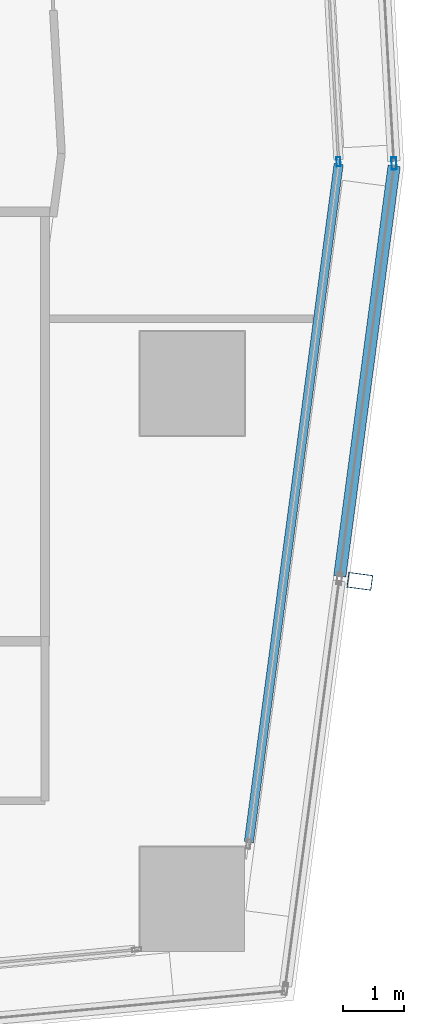
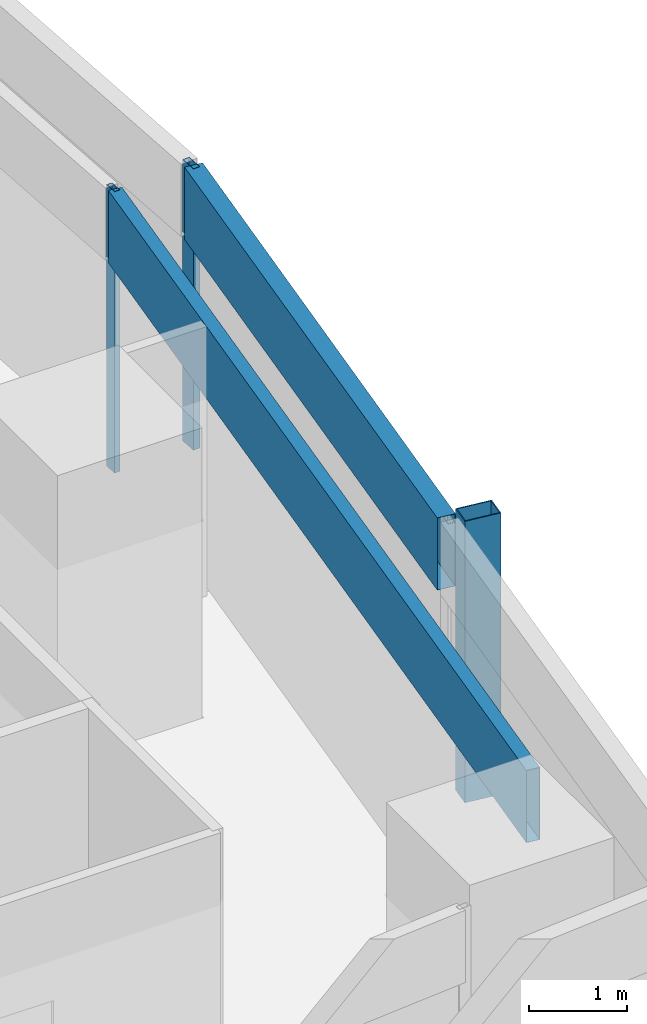
# One storey, part 13 of 39: 5 members, 4 elements without a shape of their own.
"""IFC4 building model written with IfcOpenShell, lengths in metres."""

from ifc_helpers import new_model, si_unit, direction, frame, origin, origin_2d, place, context, subcontext, project, spatial, hollow_rectangle, extrude, material, material_profile, profile_set, type_object, element, aggregate, save


model = new_model("IFC4")

# Units and contexts
model_context = context("Model", 3, precision=1e-05, world=origin(), true_north=direction((0.0, 1.0)))
body_context = subcontext(model_context, "Body", "Model", "MODEL_VIEW")
ifc_project = project(units=[si_unit("LENGTHUNIT", "METRE"), si_unit("AREAUNIT", "SQUARE_METRE"), si_unit("VOLUMEUNIT", "CUBIC_METRE"), si_unit("PLANEANGLEUNIT", "RADIAN"), si_unit("MASSUNIT", "GRAM", prefix="KILO")], contexts=[model_context])

# Site, building, storey
site_placement = place(None, origin())
site = spatial("IfcSite", under=ifc_project, at=site_placement, CompositionType="ELEMENT")
building_placement = place(site_placement, origin())
building = spatial("IfcBuilding", under=site, at=building_placement, Name="Rekha Terrace Tower", CompositionType="ELEMENT")
storey_placement = place(building_placement, frame((0.0, 0.0, 183.949951171875)))
storey = spatial("IfcBuildingStorey", under=building, at=storey_placement, Name="L46", CompositionType="ELEMENT", Elevation=183.949951171875)

# Curtain wall, member
ifc_material_1 = material(Name="Aluminium framing", Category="aluminium")
curtain_wall_type_1 = type_object("IfcCurtainWallType", Name="CW2 double skin outer glazing", PredefinedType="USERDEFINED", material=ifc_material_1)
curtain_wall_1_placement = place(storey_placement, origin())
curtain_wall_1 = element("IfcCurtainWall", 1, at=curtain_wall_1_placement, inside=storey, type_object=curtain_wall_type_1, Name="CW2 double skin outer glazing", ObjectType="DOUBLE SKIN OUTER GLAZING", PredefinedType="USERDEFINED")
ifc_material_2 = material(Name="Steel S355 with fluorocarbon finish", Category="steel")
ifc_material_profile_1 = material_profile(ifc_material_2, hollow_rectangle(XDim=0.25, YDim=0.39990234375, WallThickness=0.012451171875, at=origin_2d()), Name="RHS400x250x12.5")
ifc_profile_set_1 = profile_set([ifc_material_profile_1], Name="Steel S355 with fluorocarbon finish")
member_type_1 = type_object("IfcMemberType", Name="BL1 facade blade RHS 400 x 250", PredefinedType="USERDEFINED", material=ifc_profile_set_1)
member_1_placement = place(storey_placement, frame((61.531005859375, 21.977783203125, 0.0), z_axis=(0.0, 0.0, 1.0), x_axis=(0.131303100637, 0.991342269735, 0.0)))
member_1 = element("IfcMember", 2, at=member_1_placement, type_object=member_type_1, Name="Facade blade", ObjectType="FACADE BLADE", PredefinedType="USERDEFINED", context=body_context, shape_type="SweptSolid", body=[
    extrude(hollow_rectangle(XDim=0.25, YDim=0.39990234375, WallThickness=0.012451171875, at=origin_2d()), origin(), (0.0, 0.0, 1.0), 3.5),
])

curtain_wall_type_2 = type_object("IfcCurtainWallType", Name="CW1 double skin inner glazing", PredefinedType="USERDEFINED", material=ifc_material_1)
curtain_wall_2_placement = place(storey_placement, origin())
curtain_wall_2 = element("IfcCurtainWall", 3, at=curtain_wall_2_placement, inside=storey, type_object=curtain_wall_type_2, Name="CW1 double skin inner glazing", ObjectType="DOUBLE SKIN INNER GLAZING", PredefinedType="USERDEFINED")
ifc_material_3 = material(Name="Aluminium mullion section", Category="aluminium")
ifc_material_profile_2 = material_profile(ifc_material_3, hollow_rectangle(XDim=0.06494140625, YDim=0.14990234375, WallThickness=0.00390625, at=origin_2d()), Name="AL RHS 65x150")
ifc_profile_set_2 = profile_set([ifc_material_profile_2], Name="Aluminium mullion section")
member_type_2 = type_object("IfcMemberType", Name="CW1 mullion RHS 65 x 150", PredefinedType="MULLION", material=ifc_profile_set_2)
member_2_placement = place(storey_placement, frame((61.18408203125, 28.812255859375, 0.0), z_axis=(0.0, 0.0, 1.0), x_axis=(-0.998392782918, -0.056673194877, 0.0)))
member_2 = element("IfcMember", 4, at=member_2_placement, type_object=member_type_2, Name="CW1 mullion 1", PredefinedType="MULLION", context=body_context, shape_type="SweptSolid", body=[
    extrude(hollow_rectangle(XDim=0.06494140625, YDim=0.14990234375, WallThickness=0.00390625, at=origin_2d()), origin(), (0.0, 0.0, 1.0), 3.5),
])
aggregate(curtain_wall_2, [member_2])

curtain_wall_3_placement = place(storey_placement, origin())
curtain_wall_3 = element("IfcCurtainWall", 5, at=curtain_wall_3_placement, inside=storey, type_object=curtain_wall_type_2, Name="CW1 double skin inner glazing", ObjectType="DOUBLE SKIN INNER GLAZING", PredefinedType="USERDEFINED")
ifc_material_4 = material(Name="Insulated aluminium spandrel box", Category="aluminium")
ifc_material_profile_3 = material_profile(ifc_material_4, hollow_rectangle(XDim=0.14990234375, YDim=0.89990234375, WallThickness=0.0029296875, at=origin_2d()), Name="AL SPANDREL BOX 150x900")
ifc_profile_set_3 = profile_set([ifc_material_profile_3], Name="Insulated aluminium spandrel box")
member_type_3 = type_object("IfcMemberType", Name="CW1 spandrel transom 150 x 900", PredefinedType="USERDEFINED", material=ifc_profile_set_3)
member_3_placement = place(storey_placement, frame((59.721923828125, 17.726318359375, 3.050048828125), z_axis=(0.131310300879, 0.991341316038, 0.0), x_axis=(-0.991341316038, 0.131310300879, 0.0)))
member_3 = element("IfcMember", 6, at=member_3_placement, type_object=member_type_3, Name="CW1 spandrel transom 1", ObjectType="TRANSOM", PredefinedType="USERDEFINED", context=body_context, shape_type="SweptSolid", body=[
    extrude(hollow_rectangle(XDim=0.14990234375, YDim=0.89990234375, WallThickness=0.0029296875, at=origin_2d()), origin(), (0.0, 0.0, 1.0), 11.14990234375),
])
aggregate(curtain_wall_3, [member_3])

curtain_wall_4_placement = place(storey_placement, origin())
curtain_wall_4 = element("IfcCurtainWall", 7, at=curtain_wall_4_placement, inside=storey, type_object=curtain_wall_type_1, Name="CW2 double skin outer glazing", ObjectType="DOUBLE SKIN OUTER GLAZING", PredefinedType="USERDEFINED")
ifc_material_profile_4 = material_profile(ifc_material_3, hollow_rectangle(XDim=0.080078125, YDim=0.199951171875, WallThickness=0.00390625, at=origin_2d()), Name="AL RHS 80x200")
ifc_profile_set_4 = profile_set([ifc_material_profile_4], Name="Aluminium mullion section")
member_type_4 = type_object("IfcMemberType", Name="CW2 mullion RHS 80 x 200", PredefinedType="MULLION", material=ifc_profile_set_4)
member_4_placement = place(storey_placement, frame((62.087158203125, 28.785888671875, 0.0), z_axis=(0.0, 0.0, 1.0), x_axis=(-0.998392782919, -0.05667319486, 0.0)))
member_4 = element("IfcMember", 8, at=member_4_placement, type_object=member_type_4, Name="CW2 mullion 1", PredefinedType="MULLION", context=body_context, shape_type="SweptSolid", body=[
    extrude(hollow_rectangle(XDim=0.080078125, YDim=0.199951171875, WallThickness=0.00390625, at=origin_2d()), origin(), (0.0, 0.0, 1.0), 3.5),
])
aggregate(curtain_wall_4, [member_4])

# Member
ifc_material_profile_5 = material_profile(ifc_material_4, hollow_rectangle(XDim=0.199951171875, YDim=0.89990234375, WallThickness=0.0029296875, at=origin_2d()), Name="AL SPANDREL BOX 200x900")
ifc_profile_set_5 = profile_set([ifc_material_profile_5], Name="Insulated aluminium spandrel box")
member_type_5 = type_object("IfcMemberType", Name="CW2 spandrel transom 200 x 900", PredefinedType="USERDEFINED", material=ifc_profile_set_5)
member_5_placement = place(storey_placement, frame((61.2041015625, 22.0615234375, 3.050048828125), z_axis=(0.131286165193, 0.991344512684, 0.0), x_axis=(-0.991344512684, 0.131286165193, 0.0)))
member_5 = element("IfcMember", 9, at=member_5_placement, type_object=member_type_5, Name="CW2 spandrel transom 2", ObjectType="TRANSOM", PredefinedType="USERDEFINED", context=body_context, shape_type="SweptSolid", body=[
    extrude(hollow_rectangle(XDim=0.199951171875, YDim=0.89990234375, WallThickness=0.0029296875, at=origin_2d()), origin(), (0.0, 0.0, 1.0), 6.742919921875),
])

aggregate(curtain_wall_1, [member_5, member_1])

save(model, "model.ifc")
